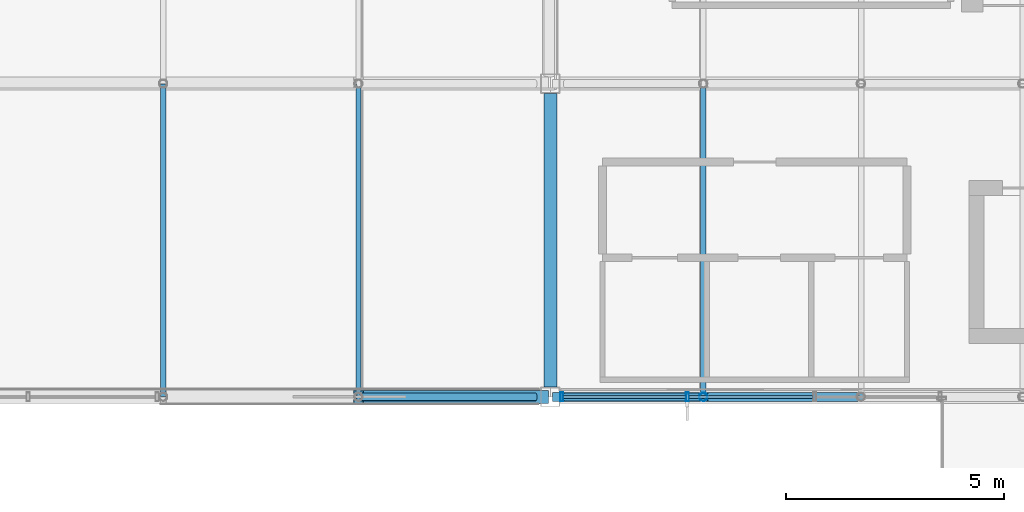
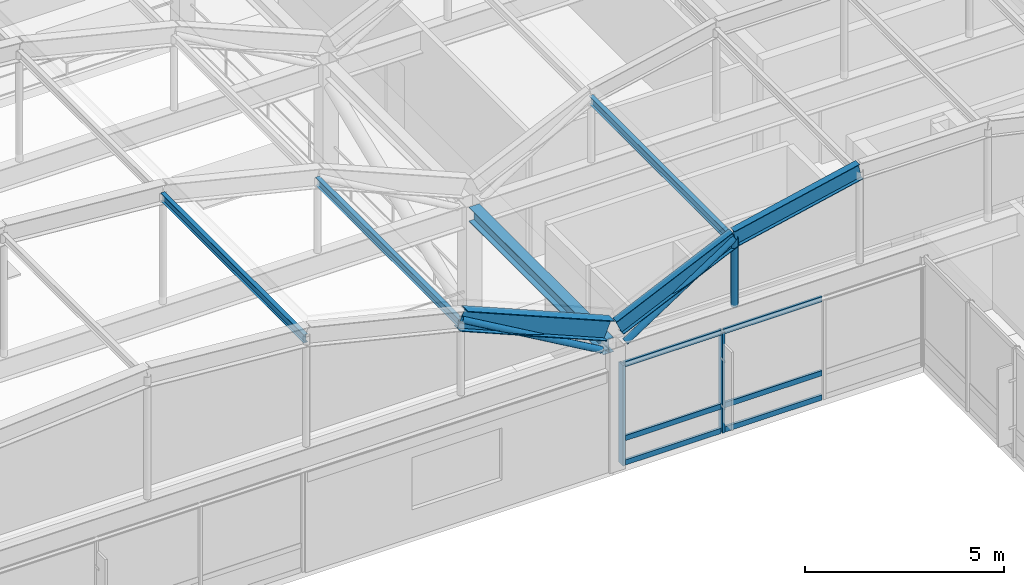
# One storey, part 35 of 106: 17 members, 1 beam, 1 element without a shape of its own.
"""IFC4 building model written with IfcOpenShell, lengths in metres."""

import ifcopenshell
import ifcopenshell.guid

model = None  # the IFC model being written
_history = None  # IfcOwnerHistory: only IFC2X3 demands one
_inside = {}  # id of a spatial element -> (the spatial element, [elements in it])
_under = {}  # id of a project, library or spatial element -> (it, [spatial elements below it])
_declared = {}  # id of a project -> (the project, [libraries it declares])
_typed = {}  # id of a type object -> (the type object, [elements of that type])
_made_of = {}  # id of a material, layer set ... -> (it, [elements and type objects made of it])


def new_model(schema):
    """Start an empty IFC model of exactly this schema.

    Asked for "IFC4X3", IfcOpenShell would pick the latest addendum, in which some entities
    have other attributes; the version numbers below select the first issue.
    IFC2X3 requires an IfcOwnerHistory on every rooted entity: one is made here for all.
    """
    global model, _history
    if schema == "IFC4X3":
        model = ifcopenshell.file(schema_version=(4, 3, 0, 0))
    else:
        model = ifcopenshell.file(schema=schema)
    _inside.clear()
    _under.clear()
    _declared.clear()
    _typed.clear()
    _made_of.clear()
    _history = None
    if model.schema == "IFC2X3":
        org = make("IfcOrganization", Name="unknown")
        user = make(
            "IfcPersonAndOrganization",
            ThePerson=make("IfcPerson", FamilyName="unknown"),
            TheOrganization=org,
        )
        app = make(
            "IfcApplication",
            ApplicationDeveloper=org,
            Version="unknown",
            ApplicationFullName="unknown",
            ApplicationIdentifier="unknown",
        )
        _history = make(
            "IfcOwnerHistory",
            OwningUser=user,
            OwningApplication=app,
            ChangeAction="ADDED",
            CreationDate=0,
        )
    return model


def make(cls, **values):
    """One entity of the class cls with the attributes given. An attribute that is None is left unset."""
    return model.create_entity(
        cls, **{name: value for name, value in values.items() if value is not None}
    )


def rooted(cls, **values):
    """An entity with a GlobalId (a new one), such as an element, a storey or a relation."""
    return make(cls, GlobalId=ifcopenshell.guid.new(), OwnerHistory=_history, **values)


def si_unit(unit_type, name, prefix=None):
    """IfcSIUnit, for example si_unit("LENGTHUNIT", "METRE", prefix="MILLI")."""
    return make("IfcSIUnit", UnitType=unit_type, Prefix=prefix, Name=name)


def assignment(units):
    """IfcUnitAssignment: the units of a project."""
    return None if units is None else make("IfcUnitAssignment", Units=units)


def point(xyz):
    """IfcCartesianPoint."""
    return None if xyz is None else make("IfcCartesianPoint", Coordinates=xyz)


def direction(xyz):
    """IfcDirection."""
    return None if xyz is None else make("IfcDirection", DirectionRatios=xyz)


def frame(location, z_axis=None, x_axis=None):
    """IfcAxis2Placement3D, a coordinate frame: its origin and axes. An axis left out is left unset."""
    return make(
        "IfcAxis2Placement3D",
        Location=point(location),
        Axis=direction(z_axis),
        RefDirection=direction(x_axis),
    )


def frame_2d(location, x_axis=None):
    """IfcAxis2Placement2D, a coordinate frame in the plane: its origin and x axis."""
    return make(
        "IfcAxis2Placement2D", Location=point(location), RefDirection=direction(x_axis)
    )


def origin():
    """The frame at (0, 0, 0) with its axes left unset."""
    return frame((0.0, 0.0, 0.0))


def origin_2d():
    """The frame at (0, 0) in the plane with its x axis left unset."""
    return frame_2d((0.0, 0.0))


def place(relative_to, where):
    """IfcLocalPlacement: puts the frame where relative to a parent placement (None: the world)."""
    return make(
        "IfcLocalPlacement", PlacementRelTo=relative_to, RelativePlacement=where
    )


def context(
    kind, dimensions, precision=None, world=None, true_north=None, identifier=None
):
    """IfcGeometricRepresentationContext, for example the 3D "Model" context."""
    return make(
        "IfcGeometricRepresentationContext",
        ContextIdentifier=identifier,
        ContextType=kind,
        CoordinateSpaceDimension=dimensions,
        Precision=precision,
        WorldCoordinateSystem=world,
        TrueNorth=true_north,
    )


def subcontext(parent, identifier, kind, view, scale=None):
    """IfcGeometricRepresentationSubContext, for example "Body" below "Model"."""
    return make(
        "IfcGeometricRepresentationSubContext",
        ContextIdentifier=identifier,
        ContextType=kind,
        ParentContext=parent,
        TargetScale=scale,
        TargetView=view,
    )


def project(units=None, contexts=None):
    """IfcProject with its units and contexts."""
    return rooted(
        "IfcProject",
        Name="project",
        RepresentationContexts=contexts,
        UnitsInContext=assignment(units),
    )


def spatial(cls, under=None, at=None, **own):
    """A site, building, storey or space (cls), placed at a placement, below another one or the project."""
    s = rooted(cls, ObjectPlacement=at, **own)
    if under is not None:
        _under.setdefault(under.id(), (under, []))[1].append(s)
    return s


def profile(cls, at=None, kind="AREA", **sizes):
    """A parametric profile (cls). Its sizes go by their IFC names, for example OverallWidth=200.0."""
    return make(cls, ProfileType=kind, Position=at, **sizes)


def hollow_rectangle(**sizes):
    """IfcRectangleHollowProfileDef."""
    return profile("IfcRectangleHollowProfileDef", **sizes)


def hollow_circle(**sizes):
    """IfcCircleHollowProfileDef."""
    return profile("IfcCircleHollowProfileDef", **sizes)


def i_section(**sizes):
    """IfcIShapeProfileDef."""
    return profile("IfcIShapeProfileDef", **sizes)


def extrude(swept, where, along, depth):
    """IfcExtrudedAreaSolid: the profile swept, set in the frame where, extruded along a direction by depth."""
    return make(
        "IfcExtrudedAreaSolid",
        SweptArea=swept,
        Position=where,
        ExtrudedDirection=direction(along),
        Depth=depth,
    )


def shape(context_of_items, identifier, shape_type, items):
    """IfcShapeRepresentation: the items that make up one representation, for example the "Body"."""
    return make(
        "IfcShapeRepresentation",
        ContextOfItems=context_of_items,
        RepresentationIdentifier=identifier,
        RepresentationType=shape_type,
        Items=items,
    )


def material(Name=None, Category=None):
    """IfcMaterial."""
    return make("IfcMaterial", Name=Name, Category=Category)


def material_profile(
    of_material, cross_section, Name=None, Category=None, Priority=None
):
    """IfcMaterialProfile: a cross section and its material."""
    return make(
        "IfcMaterialProfile",
        Name=Name,
        Material=of_material,
        Profile=cross_section,
        Priority=Priority,
        Category=Category,
    )


def profile_set(profiles, Name=None, composite=None):
    """IfcMaterialProfileSet."""
    return make(
        "IfcMaterialProfileSet",
        Name=Name,
        MaterialProfiles=profiles,
        CompositeProfile=composite,
    )


def made_of(thing, what):
    """Note that an element or type object is made of a material, layer set ...; save() writes the relation."""
    if what is not None:
        _made_of.setdefault(what.id(), (what, []))[1].append(thing)
    return thing


def type_object(cls, material=None, **own):
    """A type object (cls), such as IfcWallType, which elements share."""
    return made_of(rooted(cls, **own), material)


def element(
    cls,
    number,
    at=None,
    inside=None,
    cuts=None,
    type_object=None,
    material=None,
    context=None,
    identifier="Body",
    shape_type=None,
    held_by="IfcProductDefinitionShape",
    body=None,
    shapes=None,
    **own,
):
    """One element of the class cls, such as IfcWall. Its Tag is "e" and its number.

    at: its placement. inside: the storey or other place that contains it. cuts: it is an
    opening in that element (IfcRelVoidsElement). A single representation is given by context,
    identifier, shape_type and body (its items); several are given by shapes. held_by: the class
    of the entity that holds the representations. save() writes the other relations.
    """
    e = rooted(cls, Tag="e%d" % number, ObjectPlacement=at, **own)
    if body is not None:
        shapes = [shape(context, identifier, shape_type, body)]
    if shapes is not None:
        e.Representation = make(held_by, Representations=shapes)
    if inside is not None:
        _inside.setdefault(inside.id(), (inside, []))[1].append(e)
    if cuts is not None:
        rooted(
            "IfcRelVoidsElement", RelatingBuildingElement=cuts, RelatedOpeningElement=e
        )
    if type_object is not None:
        _typed.setdefault(type_object.id(), (type_object, []))[1].append(e)
    return made_of(e, material)


def aggregate(whole, parts):
    """IfcRelAggregates: a whole, such as a stair, and the parts it consists of."""
    return rooted("IfcRelAggregates", RelatingObject=whole, RelatedObjects=parts)


def save(model, path):
    """Write the relations noted so far, then the file.

    IfcRelAggregates (storeys below a building ...), IfcRelContainedInSpatialStructure (elements
    in a storey), IfcRelDefinesByType, IfcRelAssociatesMaterial and IfcRelDeclares: one each for
    every whole, place, type object, material and project.
    """
    for whole, parts in _under.values():
        aggregate(whole, parts)
    for where, things in _inside.values():
        rooted(
            "IfcRelContainedInSpatialStructure",
            RelatedElements=things,
            RelatingStructure=where,
        )
    for kind, things in _typed.values():
        rooted("IfcRelDefinesByType", RelatedObjects=things, RelatingType=kind)
    for what, things in _made_of.values():
        rooted("IfcRelAssociatesMaterial", RelatedObjects=things, RelatingMaterial=what)
    for by, libraries in _declared.values():
        rooted("IfcRelDeclares", RelatingContext=by, RelatedDefinitions=libraries)
    model.write(path)


model = new_model("IFC4")

# Units and contexts
model_context = context("Model", 3, precision=1e-05, world=origin(), true_north=direction((0.0, 1.0)))
body_context = subcontext(model_context, "Body", "Model", "MODEL_VIEW")
ifc_project = project(units=[si_unit("LENGTHUNIT", "METRE"), si_unit("AREAUNIT", "SQUARE_METRE"), si_unit("VOLUMEUNIT", "CUBIC_METRE"), si_unit("PLANEANGLEUNIT", "RADIAN"), si_unit("MASSUNIT", "GRAM", prefix="KILO")], contexts=[model_context])

# Site, building, storey
site_placement = place(None, origin())
site = spatial("IfcSite", under=ifc_project, at=site_placement, CompositionType="ELEMENT")
building_placement = place(site_placement, origin())
building = spatial("IfcBuilding", under=site, at=building_placement, Name="Kazanami Central Library", CompositionType="ELEMENT")
storey_placement = place(building_placement, frame((0.0, 0.0, 12.800048828125)))
storey = spatial("IfcBuildingStorey", under=building, at=storey_placement, Name="L04", CompositionType="ELEMENT", Elevation=12.800048828125)

# Beam
ifc_material_1 = material(Name="Steel SN490B (325 MPa)", Category="steel")
ifc_material_profile_1 = material_profile(ifc_material_1, i_section(OverallWidth=0.300048828125, OverallDepth=0.43994140625, WebThickness=0.010986328125, FlangeThickness=0.01806640625, at=origin_2d()), Name="H-440x300x11x18")
ifc_profile_set_1 = profile_set([ifc_material_profile_1], Name="Steel SN490B (325 MPa)")
beam_type = type_object("IfcBeamType", Name="BM-G-Y4", PredefinedType="BEAM", material=ifc_profile_set_1)
beam_placement = place(storey_placement, frame((90.0, 65.02294921875, 3.56005859375), z_axis=(0.0, 1.0, 0.0), x_axis=(-1.0, 0.0, 0.0)))
element("IfcBeam", 1, at=beam_placement, inside=storey, type_object=beam_type, Name="Girder G-Y4 L04 11/K-L", PredefinedType="BEAM", context=body_context, shape_type="SweptSolid", body=[
    extrude(i_section(OverallWidth=0.300048828125, OverallDepth=0.43994140625, WebThickness=0.010986328125, FlangeThickness=0.01806640625, at=origin_2d()), origin(), (0.0, 0.0, 1.0), 6.754150390625),
])

# Members
ifc_material_profile_2 = material_profile(ifc_material_1, i_section(OverallWidth=0.300048828125, OverallDepth=0.587890625, WebThickness=0.011962890625, FlangeThickness=0.02001953125, at=origin_2d()), Name="H-588x300x12x20")
ifc_profile_set_2 = profile_set([ifc_material_profile_2], Name="Steel SN490B (325 MPa)")
member_type_1 = type_object("IfcMemberType", Name="MEM-AR-01", PredefinedType="CHORD", material=ifc_profile_set_2)
member_1_placement = place(storey_placement, frame((85.592041015625, 64.800048828125, 6.089111328125), z_axis=(0.921854112797, 0.0, -0.387537088185), x_axis=(0.0, 1.0, 0.0)))
element("IfcMember", 2, at=member_1_placement, inside=storey, type_object=member_type_1, Name="Barrel Vault Arch Rib AR-01 VAULT-MAIN Grid K Seg 6", PredefinedType="CHORD", context=body_context, shape_type="SweptSolid", body=[
    extrude(i_section(OverallWidth=0.300048828125, OverallDepth=0.587890625, WebThickness=0.011962890625, FlangeThickness=0.02001953125, at=origin_2d()), origin(), (0.0, 0.0, 1.0), 4.618896484375),
])
ifc_material_profile_3 = material_profile(ifc_material_1, i_section(OverallWidth=0.199951171875, OverallDepth=0.5, WebThickness=0.010009765625, FlangeThickness=0.01611328125, at=origin_2d()), Name="H-500x200x10x16")
ifc_profile_set_3 = profile_set([ifc_material_profile_3], Name="Steel SN490B (325 MPa)")
member_type_2 = type_object("IfcMemberType", Name="MEM-AR-02", PredefinedType="CHORD", material=ifc_profile_set_3)
for number, where, z_axis, x_axis, name in (
    (3, (90.14990234375, 64.800048828125, 4.2548828125), (0.908074880538, 0.0, 0.41880784536), (0.0, 1.0, 0.0), "Barrel Vault Arch Rib AR-02 VAULT-EAST Grid K Seg 1"),
    (4, (93.519775390625, 64.800048828125, 5.80908203125), (0.976745687277, 0.0, 0.214401171606), (0.0, 1.0, 0.0), "Barrel Vault Arch Rib AR-02 VAULT-EAST Grid K Seg 2"),
):
    element("IfcMember", number, at=place(storey_placement, frame(where, z_axis=z_axis, x_axis=x_axis)), inside=storey, type_object=member_type_2, Name=name, PredefinedType="CHORD", context=body_context, shape_type="SweptSolid", body=[
        extrude(i_section(OverallWidth=0.199951171875, OverallDepth=0.5, WebThickness=0.010009765625, FlangeThickness=0.01611328125, at=origin_2d()), origin(), (0.0, 0.0, 1.0), 3.7109375),
    ])

# Curtain wall, members
ifc_material_2 = material(Name="Acid-Etched Low-E Laminated Glass", Category="glass")
curtain_wall_type = type_object("IfcCurtainWallType", Name="CW-8775x3080-M275", PredefinedType="USERDEFINED", material=ifc_material_2)
curtain_wall_placement = place(storey_placement, origin())
curtain_wall = element("IfcCurtainWall", 5, at=curtain_wall_placement, inside=storey, type_object=curtain_wall_type, Name="Unitised Curtain Wall CW-40 L04 S-K-10", ObjectType="UNITISED CURTAIN WALL", PredefinedType="USERDEFINED")
ifc_material_3 = material(Name="Anodised Aluminium A6063-T5", Category="aluminium")
ifc_material_profile_4 = material_profile(ifc_material_3, hollow_rectangle(XDim=0.070068359375, YDim=0.2099609375, WallThickness=0.0048828125, at=origin_2d()), Name="ALU-MULL-70x210x5")
ifc_profile_set_4 = profile_set([ifc_material_profile_4], Name="Anodised Aluminium A6063-T5")
member_type_3 = type_object("IfcMemberType", Name="MEM-CW-M1", PredefinedType="MULLION", material=ifc_profile_set_4)
member_2_placement = place(storey_placement, frame((90.260009765625, 64.800048828125, 0.0), z_axis=(0.0, 0.0, 1.0), x_axis=(1.0, 0.0, 0.0)))
member_2 = element("IfcMember", 6, at=member_2_placement, type_object=member_type_3, Name="CW-40 mullion 1", PredefinedType="MULLION", context=body_context, shape_type="SweptSolid", body=[
    extrude(hollow_rectangle(XDim=0.070068359375, YDim=0.2099609375, WallThickness=0.0048828125, at=origin_2d()), origin(), (0.0, 0.0, 1.0), 3.079833984375),
])
member_3_placement = place(storey_placement, frame((93.14990234375, 64.800048828125, 0.0), z_axis=(0.0, 0.0, 1.0), x_axis=(1.0, 0.0, 0.0)))
member_3 = element("IfcMember", 7, at=member_3_placement, type_object=member_type_3, Name="CW-40 mullion 2", PredefinedType="MULLION", context=body_context, shape_type="SweptSolid", body=[
    extrude(hollow_rectangle(XDim=0.070068359375, YDim=0.2099609375, WallThickness=0.0048828125, at=origin_2d()), origin(), (0.0, 0.0, 1.0), 3.079833984375),
])
ifc_material_profile_5 = material_profile(ifc_material_3, hollow_rectangle(XDim=0.070068359375, YDim=0.159912109375, WallThickness=0.00390625, at=origin_2d()), Name="ALU-TRAN-70x160x4")
ifc_profile_set_5 = profile_set([ifc_material_profile_5], Name="Anodised Aluminium A6063-T5")
member_type_4 = type_object("IfcMemberType", Name="MEM-CW-T1", PredefinedType="USERDEFINED", material=ifc_profile_set_5)
member_4_placement = place(storey_placement, frame((90.294921875, 64.800048828125, 0.034912109375), z_axis=(1.0, 0.0, 0.0), x_axis=(0.0, 1.0, 0.0)))
member_4 = element("IfcMember", 8, at=member_4_placement, type_object=member_type_4, Name="CW-40 transom 1.1", ObjectType="TRANSOM", PredefinedType="USERDEFINED", context=body_context, shape_type="SweptSolid", body=[
    extrude(hollow_rectangle(XDim=0.070068359375, YDim=0.159912109375, WallThickness=0.00390625, at=origin_2d()), origin(), (0.0, 0.0, 1.0), 2.820068359375),
])
member_5_placement = place(storey_placement, frame((90.294921875, 64.800048828125, 0.780029296875), z_axis=(1.0, 0.0, 0.0), x_axis=(0.0, 1.0, 0.0)))
member_5 = element("IfcMember", 9, at=member_5_placement, type_object=member_type_4, Name="CW-40 transom 1.2", ObjectType="TRANSOM", PredefinedType="USERDEFINED", context=body_context, shape_type="SweptSolid", body=[
    extrude(hollow_rectangle(XDim=0.070068359375, YDim=0.159912109375, WallThickness=0.00390625, at=origin_2d()), origin(), (0.0, 0.0, 1.0), 2.820068359375),
])
member_6_placement = place(storey_placement, frame((90.294921875, 64.800048828125, 3.044921875), z_axis=(1.0, 0.0, 0.0), x_axis=(0.0, 1.0, 0.0)))
member_6 = element("IfcMember", 10, at=member_6_placement, type_object=member_type_4, Name="CW-40 transom 1.3", ObjectType="TRANSOM", PredefinedType="USERDEFINED", context=body_context, shape_type="SweptSolid", body=[
    extrude(hollow_rectangle(XDim=0.070068359375, YDim=0.159912109375, WallThickness=0.00390625, at=origin_2d()), origin(), (0.0, 0.0, 1.0), 2.820068359375),
])
member_7_placement = place(storey_placement, frame((93.18505859375, 64.800048828125, 0.034912109375), z_axis=(1.0, 0.0, 0.0), x_axis=(0.0, 1.0, 0.0)))
member_7 = element("IfcMember", 11, at=member_7_placement, type_object=member_type_4, Name="CW-40 transom 2.1", ObjectType="TRANSOM", PredefinedType="USERDEFINED", context=body_context, shape_type="SweptSolid", body=[
    extrude(hollow_rectangle(XDim=0.070068359375, YDim=0.159912109375, WallThickness=0.00390625, at=origin_2d()), origin(), (0.0, 0.0, 1.0), 2.85498046875),
])
member_8_placement = place(storey_placement, frame((93.18505859375, 64.800048828125, 0.780029296875), z_axis=(1.0, 0.0, 0.0), x_axis=(0.0, 1.0, 0.0)))
member_8 = element("IfcMember", 12, at=member_8_placement, type_object=member_type_4, Name="CW-40 transom 2.2", ObjectType="TRANSOM", PredefinedType="USERDEFINED", context=body_context, shape_type="SweptSolid", body=[
    extrude(hollow_rectangle(XDim=0.070068359375, YDim=0.159912109375, WallThickness=0.00390625, at=origin_2d()), origin(), (0.0, 0.0, 1.0), 2.85498046875),
])
member_9_placement = place(storey_placement, frame((93.18505859375, 64.800048828125, 3.044921875), z_axis=(1.0, 0.0, 0.0), x_axis=(0.0, 1.0, 0.0)))
member_9 = element("IfcMember", 13, at=member_9_placement, type_object=member_type_4, Name="CW-40 transom 2.3", ObjectType="TRANSOM", PredefinedType="USERDEFINED", context=body_context, shape_type="SweptSolid", body=[
    extrude(hollow_rectangle(XDim=0.070068359375, YDim=0.159912109375, WallThickness=0.00390625, at=origin_2d()), origin(), (0.0, 0.0, 1.0), 2.85498046875),
])
aggregate(curtain_wall, [member_2, member_3, member_4, member_5, member_6, member_7, member_8, member_9])

# Members
ifc_material_4 = material(Name="Steel SN400B (235 MPa)", Category="steel")
ifc_material_profile_6 = material_profile(ifc_material_4, i_section(OverallWidth=0.125, OverallDepth=0.25, WebThickness=0.006103515625, FlangeThickness=0.009033203125, at=origin_2d()), Name="H-250x125x6x9")
ifc_profile_set_6 = profile_set([ifc_material_profile_6], Name="Steel SN400B (235 MPa)")
member_type_5 = type_object("IfcMemberType", Name="MEM-PUR-250", PredefinedType="PURLIN", material=ifc_profile_set_6)
for number, where, z_axis, x_axis, name in (
    (14, (81.104248046875, 64.804931640625, 7.041748046875), (0.0, 1.0, 0.0), (-1.0, 0.0, 0.0), "Barrel Vault Longitudinal Purlin VAULT-MAIN Knuckle 4.1"),
    (15, (85.592041015625, 64.804931640625, 5.94921875), (0.0, 1.0, 0.0), (-1.0, 0.0, 0.0), "Barrel Vault Longitudinal Purlin VAULT-MAIN Knuckle 5.1"),
    (16, (93.519775390625, 64.804931640625, 5.669189453125), (0.0, 1.0, 0.0), (-1.0, 0.0, 0.0), "Barrel Vault Longitudinal Purlin VAULT-EAST Knuckle 1.1"),
):
    element("IfcMember", number, at=place(storey_placement, frame(where, z_axis=z_axis, x_axis=x_axis)), inside=storey, type_object=member_type_5, Name=name, PredefinedType="PURLIN", context=body_context, shape_type="SweptSolid", body=[
        extrude(i_section(OverallWidth=0.125, OverallDepth=0.25, WebThickness=0.006103515625, FlangeThickness=0.009033203125, at=origin_2d()), origin(), (0.0, 0.0, 1.0), 7.190185546875),
    ])
ifc_material_5 = material(Name="Steel STK490 (315 MPa)", Category="steel")
ifc_material_profile_7 = material_profile(ifc_material_5, hollow_circle(Radius=0.095458984375, WallThickness=0.007080078125, at=origin_2d()), Name="CHS-190.7x7.0")
ifc_profile_set_7 = profile_set([ifc_material_profile_7], Name="Steel STK490 (315 MPa)")
member_type_6 = type_object("IfcMemberType", Name="MEM-VST-190", PredefinedType="STRUT", material=ifc_profile_set_7)
member_10_placement = place(storey_placement, frame((89.64990234375, 64.800048828125, 3.71484375), z_axis=(-0.864967490529, 0.0, 0.501827899114), x_axis=(0.0, -1.0, 0.0)))
element("IfcMember", 17, at=member_10_placement, inside=storey, type_object=member_type_6, Name="Barrel Vault Tied-Arch Diagonal VAULT-MAIN Grid K (R)", PredefinedType="BRACE", context=body_context, shape_type="SweptSolid", body=[
    extrude(hollow_circle(Radius=0.095458984375, WallThickness=0.007080078125, at=origin_2d()), origin(), (0.0, 0.0, 1.0), 4.69140625),
])
member_11_placement = place(storey_placement, frame((93.519775390625, 64.800048828125, 3.71484375), z_axis=(0.0, 0.0, 1.0), x_axis=(1.0, 0.0, 0.0)))
element("IfcMember", 18, at=member_11_placement, inside=storey, type_object=member_type_6, Name="Barrel Vault Tied-Arch Web Strut VAULT-EAST Grid K Knuckle 1", PredefinedType="STRUT", context=body_context, shape_type="SweptSolid", body=[
    extrude(hollow_circle(Radius=0.095458984375, WallThickness=0.007080078125, at=origin_2d()), origin(), (0.0, 0.0, 1.0), 2.07421875),
])
member_12_placement = place(storey_placement, frame((90.35009765625, 64.800048828125, 3.71484375), z_axis=(0.836759504137, 0.0, 0.547570572837), x_axis=(0.0, 1.0, 0.0)))
element("IfcMember", 19, at=member_12_placement, inside=storey, type_object=member_type_6, Name="Barrel Vault Tied-Arch Diagonal VAULT-EAST Grid K (L)", PredefinedType="BRACE", context=body_context, shape_type="SweptSolid", body=[
    extrude(hollow_circle(Radius=0.095458984375, WallThickness=0.007080078125, at=origin_2d()), origin(), (0.0, 0.0, 1.0), 3.7880859375),
])

save(model, "model.ifc")
